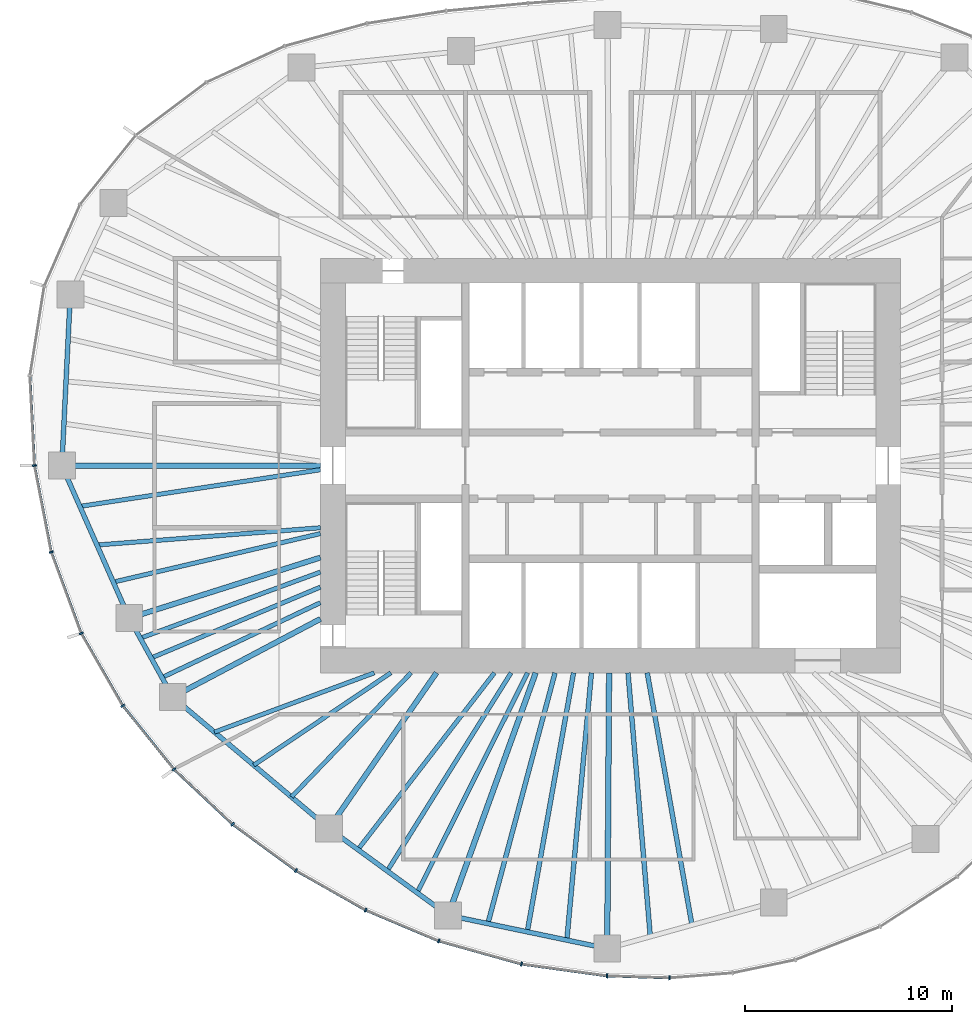
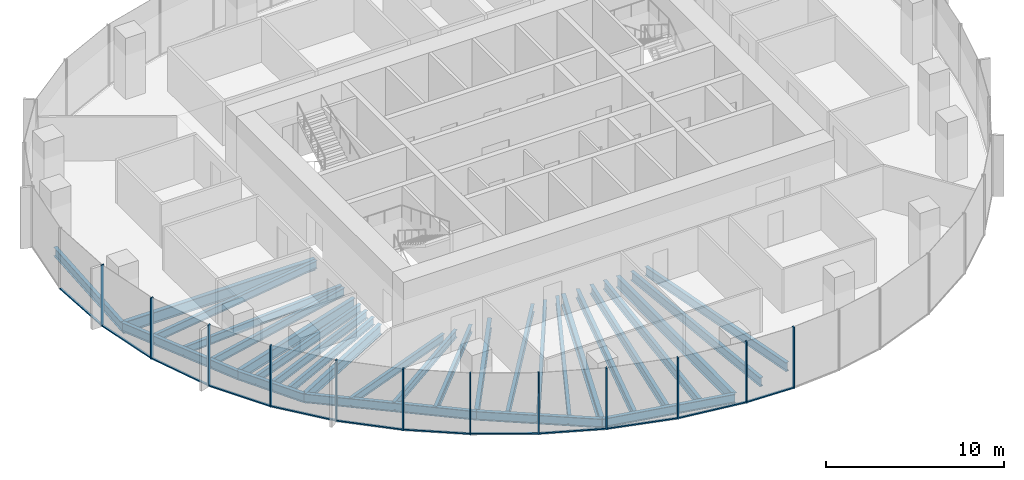
# One storey, part 2 of 11: 29 beams, 24 members, 7 elements without a shape of their own.
"""IFC4 building model written with IfcOpenShell, lengths in metres."""

import ifcopenshell
import ifcopenshell.guid

model = None  # the IFC model being written
_history = None  # IfcOwnerHistory: only IFC2X3 demands one
_inside = {}  # id of a spatial element -> (the spatial element, [elements in it])
_under = {}  # id of a project, library or spatial element -> (it, [spatial elements below it])
_declared = {}  # id of a project -> (the project, [libraries it declares])
_typed = {}  # id of a type object -> (the type object, [elements of that type])
_made_of = {}  # id of a material, layer set ... -> (it, [elements and type objects made of it])


def new_model(schema):
    """Start an empty IFC model of exactly this schema.

    Asked for "IFC4X3", IfcOpenShell would pick the latest addendum, in which some entities
    have other attributes; the version numbers below select the first issue.
    IFC2X3 requires an IfcOwnerHistory on every rooted entity: one is made here for all.
    """
    global model, _history
    if schema == "IFC4X3":
        model = ifcopenshell.file(schema_version=(4, 3, 0, 0))
    else:
        model = ifcopenshell.file(schema=schema)
    _inside.clear()
    _under.clear()
    _declared.clear()
    _typed.clear()
    _made_of.clear()
    _history = None
    if model.schema == "IFC2X3":
        org = make("IfcOrganization", Name="unknown")
        user = make(
            "IfcPersonAndOrganization",
            ThePerson=make("IfcPerson", FamilyName="unknown"),
            TheOrganization=org,
        )
        app = make(
            "IfcApplication",
            ApplicationDeveloper=org,
            Version="unknown",
            ApplicationFullName="unknown",
            ApplicationIdentifier="unknown",
        )
        _history = make(
            "IfcOwnerHistory",
            OwningUser=user,
            OwningApplication=app,
            ChangeAction="ADDED",
            CreationDate=0,
        )
    return model


def make(cls, **values):
    """One entity of the class cls with the attributes given. An attribute that is None is left unset."""
    return model.create_entity(
        cls, **{name: value for name, value in values.items() if value is not None}
    )


def rooted(cls, **values):
    """An entity with a GlobalId (a new one), such as an element, a storey or a relation."""
    return make(cls, GlobalId=ifcopenshell.guid.new(), OwnerHistory=_history, **values)


def si_unit(unit_type, name, prefix=None):
    """IfcSIUnit, for example si_unit("LENGTHUNIT", "METRE", prefix="MILLI")."""
    return make("IfcSIUnit", UnitType=unit_type, Prefix=prefix, Name=name)


def assignment(units):
    """IfcUnitAssignment: the units of a project."""
    return None if units is None else make("IfcUnitAssignment", Units=units)


def point(xyz):
    """IfcCartesianPoint."""
    return None if xyz is None else make("IfcCartesianPoint", Coordinates=xyz)


def direction(xyz):
    """IfcDirection."""
    return None if xyz is None else make("IfcDirection", DirectionRatios=xyz)


def frame(location, z_axis=None, x_axis=None):
    """IfcAxis2Placement3D, a coordinate frame: its origin and axes. An axis left out is left unset."""
    return make(
        "IfcAxis2Placement3D",
        Location=point(location),
        Axis=direction(z_axis),
        RefDirection=direction(x_axis),
    )


def frame_2d(location, x_axis=None):
    """IfcAxis2Placement2D, a coordinate frame in the plane: its origin and x axis."""
    return make(
        "IfcAxis2Placement2D", Location=point(location), RefDirection=direction(x_axis)
    )


def origin():
    """The frame at (0, 0, 0) with its axes left unset."""
    return frame((0.0, 0.0, 0.0))


def origin_2d():
    """The frame at (0, 0) in the plane with its x axis left unset."""
    return frame_2d((0.0, 0.0))


def place(relative_to, where):
    """IfcLocalPlacement: puts the frame where relative to a parent placement (None: the world)."""
    return make(
        "IfcLocalPlacement", PlacementRelTo=relative_to, RelativePlacement=where
    )


def context(
    kind, dimensions, precision=None, world=None, true_north=None, identifier=None
):
    """IfcGeometricRepresentationContext, for example the 3D "Model" context."""
    return make(
        "IfcGeometricRepresentationContext",
        ContextIdentifier=identifier,
        ContextType=kind,
        CoordinateSpaceDimension=dimensions,
        Precision=precision,
        WorldCoordinateSystem=world,
        TrueNorth=true_north,
    )


def subcontext(parent, identifier, kind, view, scale=None):
    """IfcGeometricRepresentationSubContext, for example "Body" below "Model"."""
    return make(
        "IfcGeometricRepresentationSubContext",
        ContextIdentifier=identifier,
        ContextType=kind,
        ParentContext=parent,
        TargetScale=scale,
        TargetView=view,
    )


def project(units=None, contexts=None):
    """IfcProject with its units and contexts."""
    return rooted(
        "IfcProject",
        Name="project",
        RepresentationContexts=contexts,
        UnitsInContext=assignment(units),
    )


def spatial(cls, under=None, at=None, **own):
    """A site, building, storey or space (cls), placed at a placement, below another one or the project."""
    s = rooted(cls, ObjectPlacement=at, **own)
    if under is not None:
        _under.setdefault(under.id(), (under, []))[1].append(s)
    return s


def profile(cls, at=None, kind="AREA", **sizes):
    """A parametric profile (cls). Its sizes go by their IFC names, for example OverallWidth=200.0."""
    return make(cls, ProfileType=kind, Position=at, **sizes)


def rectangle(**sizes):
    """IfcRectangleProfileDef."""
    return profile("IfcRectangleProfileDef", **sizes)


def i_section(**sizes):
    """IfcIShapeProfileDef."""
    return profile("IfcIShapeProfileDef", **sizes)


def extrude(swept, where, along, depth):
    """IfcExtrudedAreaSolid: the profile swept, set in the frame where, extruded along a direction by depth."""
    return make(
        "IfcExtrudedAreaSolid",
        SweptArea=swept,
        Position=where,
        ExtrudedDirection=direction(along),
        Depth=depth,
    )


def shape(context_of_items, identifier, shape_type, items):
    """IfcShapeRepresentation: the items that make up one representation, for example the "Body"."""
    return make(
        "IfcShapeRepresentation",
        ContextOfItems=context_of_items,
        RepresentationIdentifier=identifier,
        RepresentationType=shape_type,
        Items=items,
    )


def material(Name=None, Category=None):
    """IfcMaterial."""
    return make("IfcMaterial", Name=Name, Category=Category)


def material_profile(
    of_material, cross_section, Name=None, Category=None, Priority=None
):
    """IfcMaterialProfile: a cross section and its material."""
    return make(
        "IfcMaterialProfile",
        Name=Name,
        Material=of_material,
        Profile=cross_section,
        Priority=Priority,
        Category=Category,
    )


def profile_set(profiles, Name=None, composite=None):
    """IfcMaterialProfileSet."""
    return make(
        "IfcMaterialProfileSet",
        Name=Name,
        MaterialProfiles=profiles,
        CompositeProfile=composite,
    )


def made_of(thing, what):
    """Note that an element or type object is made of a material, layer set ...; save() writes the relation."""
    if what is not None:
        _made_of.setdefault(what.id(), (what, []))[1].append(thing)
    return thing


def type_object(cls, material=None, **own):
    """A type object (cls), such as IfcWallType, which elements share."""
    return made_of(rooted(cls, **own), material)


def element(
    cls,
    number,
    at=None,
    inside=None,
    cuts=None,
    type_object=None,
    material=None,
    context=None,
    identifier="Body",
    shape_type=None,
    held_by="IfcProductDefinitionShape",
    body=None,
    shapes=None,
    **own,
):
    """One element of the class cls, such as IfcWall. Its Tag is "e" and its number.

    at: its placement. inside: the storey or other place that contains it. cuts: it is an
    opening in that element (IfcRelVoidsElement). A single representation is given by context,
    identifier, shape_type and body (its items); several are given by shapes. held_by: the class
    of the entity that holds the representations. save() writes the other relations.
    """
    e = rooted(cls, Tag="e%d" % number, ObjectPlacement=at, **own)
    if body is not None:
        shapes = [shape(context, identifier, shape_type, body)]
    if shapes is not None:
        e.Representation = make(held_by, Representations=shapes)
    if inside is not None:
        _inside.setdefault(inside.id(), (inside, []))[1].append(e)
    if cuts is not None:
        rooted(
            "IfcRelVoidsElement", RelatingBuildingElement=cuts, RelatedOpeningElement=e
        )
    if type_object is not None:
        _typed.setdefault(type_object.id(), (type_object, []))[1].append(e)
    return made_of(e, material)


def aggregate(whole, parts):
    """IfcRelAggregates: a whole, such as a stair, and the parts it consists of."""
    return rooted("IfcRelAggregates", RelatingObject=whole, RelatedObjects=parts)


def save(model, path):
    """Write the relations noted so far, then the file.

    IfcRelAggregates (storeys below a building ...), IfcRelContainedInSpatialStructure (elements
    in a storey), IfcRelDefinesByType, IfcRelAssociatesMaterial and IfcRelDeclares: one each for
    every whole, place, type object, material and project.
    """
    for whole, parts in _under.values():
        aggregate(whole, parts)
    for where, things in _inside.values():
        rooted(
            "IfcRelContainedInSpatialStructure",
            RelatedElements=things,
            RelatingStructure=where,
        )
    for kind, things in _typed.values():
        rooted("IfcRelDefinesByType", RelatedObjects=things, RelatingType=kind)
    for what, things in _made_of.values():
        rooted("IfcRelAssociatesMaterial", RelatedObjects=things, RelatingMaterial=what)
    for by, libraries in _declared.values():
        rooted("IfcRelDeclares", RelatingContext=by, RelatedDefinitions=libraries)
    model.write(path)


model = new_model("IFC4")

# Units and contexts
model_context = context("Model", 3, precision=1e-05, world=origin(), true_north=direction((0.0, 1.0)))
body_context = subcontext(model_context, "Body", "Model", "MODEL_VIEW")
ifc_project = project(units=[si_unit("LENGTHUNIT", "METRE"), si_unit("AREAUNIT", "SQUARE_METRE"), si_unit("VOLUMEUNIT", "CUBIC_METRE"), si_unit("PLANEANGLEUNIT", "RADIAN"), si_unit("MASSUNIT", "GRAM", prefix="KILO")], contexts=[model_context])

# Site, building, storey
site_placement = place(None, origin())
site = spatial("IfcSite", under=ifc_project, at=site_placement, CompositionType="ELEMENT")
building_placement = place(site_placement, origin())
building = spatial("IfcBuilding", under=site, at=building_placement, Name="Ghaith Harvest Tower", CompositionType="ELEMENT")
storey_placement = place(building_placement, frame((0.0, 0.0, 211.60009765625)))
storey = spatial("IfcBuildingStorey", under=building, at=storey_placement, Name="L46", CompositionType="ELEMENT", Elevation=211.60009765625)

# Curtain wall, members
ifc_material_1 = material(Name="Black anodised aluminium and fritted glass", Category="aluminium")
curtain_wall_type = type_object("IfcCurtainWallType", Name="CW-H CURTAIN WALL", PredefinedType="NOTDEFINED", material=ifc_material_1)
curtain_wall_1_placement = place(storey_placement, origin())
curtain_wall_1 = element("IfcCurtainWall", 1, at=curtain_wall_1_placement, inside=storey, type_object=curtain_wall_type, Name="Curtain wall CW-H bay 11 L46", PredefinedType="NOTDEFINED")
ifc_material_2 = material(Name="Aluminium, black anodised", Category="aluminium")
ifc_material_profile_1 = material_profile(ifc_material_2, rectangle(XDim=0.080078125, YDim=0.199951171875, at=origin_2d()), Name="CW-H MULLION 80x200")
ifc_profile_set_1 = profile_set([ifc_material_profile_1], Name="Aluminium, black anodised")
member_type_1 = type_object("IfcMemberType", Name="CW-H MULLION 80x200", PredefinedType="MULLION", material=ifc_profile_set_1)
member_1_placement = place(storey_placement, frame((-27.794921875, 0.0, 0.0), z_axis=(0.0, 0.0, 1.0), x_axis=(0.12024996575, -0.992743645528, 0.0)))
member_1 = element("IfcMember", 2, at=member_1_placement, type_object=member_type_1, Name="CW-H mullion 1 bay 11 L46", PredefinedType="MULLION", context=body_context, shape_type="SweptSolid", body=[
    extrude(rectangle(XDim=0.080078125, YDim=0.199951171875, at=origin_2d()), origin(), (0.0, 0.0, 1.0), 4.199951171875),
])
member_2_placement = place(storey_placement, frame((-26.9853515625, -4.173828125, 0.0), z_axis=(0.0, 0.0, 1.0), x_axis=(0.268568830903, -0.963260495955, 0.0)))
member_2 = element("IfcMember", 3, at=member_2_placement, type_object=member_type_1, Name="CW-H mullion 2 bay 11 L46", PredefinedType="MULLION", context=body_context, shape_type="SweptSolid", body=[
    extrude(rectangle(XDim=0.080078125, YDim=0.199951171875, at=origin_2d()), origin(), (0.0, 0.0, 1.0), 4.199951171875),
])

curtain_wall_2_placement = place(storey_placement, origin())
curtain_wall_2 = element("IfcCurtainWall", 4, at=curtain_wall_2_placement, inside=storey, type_object=curtain_wall_type, Name="Curtain wall CW-H bay 12 L46", PredefinedType="NOTDEFINED")
member_3_placement = place(storey_placement, frame((-25.538330078125, -8.093505859375, 0.0), z_axis=(0.0, 0.0, 1.0), x_axis=(0.422308650185, -0.906452096903, 0.0)))
member_3 = element("IfcMember", 5, at=member_3_placement, type_object=member_type_1, Name="CW-H mullion 1 bay 12 L46", PredefinedType="MULLION", context=body_context, shape_type="SweptSolid", body=[
    extrude(rectangle(XDim=0.080078125, YDim=0.199951171875, at=origin_2d()), origin(), (0.0, 0.0, 1.0), 4.199951171875),
])
member_4_placement = place(storey_placement, frame((-23.533203125, -11.58349609375, 0.0), z_axis=(0.0, 0.0, 1.0), x_axis=(0.563616546013, -0.826036554312, 0.0)))
member_4 = element("IfcMember", 6, at=member_4_placement, type_object=member_type_1, Name="CW-H mullion 2 bay 12 L46", PredefinedType="MULLION", context=body_context, shape_type="SweptSolid", body=[
    extrude(rectangle(XDim=0.080078125, YDim=0.199951171875, at=origin_2d()), origin(), (0.0, 0.0, 1.0), 4.199951171875),
])

curtain_wall_3_placement = place(storey_placement, origin())
curtain_wall_3 = element("IfcCurtainWall", 7, at=curtain_wall_3_placement, inside=storey, type_object=curtain_wall_type, Name="Curtain wall CW-H bay 13 L46", PredefinedType="NOTDEFINED")
member_5_placement = place(storey_placement, frame((-21.0615234375, -14.65478515625, 0.0), z_axis=(0.0, 0.0, 1.0), x_axis=(0.679181589754, -0.733970277422, 0.0)))
member_5 = element("IfcMember", 8, at=member_5_placement, type_object=member_type_1, Name="CW-H mullion 1 bay 13 L46", PredefinedType="MULLION", context=body_context, shape_type="SweptSolid", body=[
    extrude(rectangle(XDim=0.080078125, YDim=0.199951171875, at=origin_2d()), origin(), (0.0, 0.0, 1.0), 4.199951171875),
])
member_6_placement = place(storey_placement, frame((-18.238037109375, -17.30615234375, 0.0), z_axis=(0.0, 0.0, 1.0), x_axis=(0.769216709506, -0.638987991919, 0.0)))
member_6 = element("IfcMember", 9, at=member_6_placement, type_object=member_type_1, Name="CW-H mullion 2 bay 13 L46", PredefinedType="MULLION", context=body_context, shape_type="SweptSolid", body=[
    extrude(rectangle(XDim=0.080078125, YDim=0.199951171875, at=origin_2d()), origin(), (0.0, 0.0, 1.0), 4.199951171875),
])

curtain_wall_4_placement = place(storey_placement, origin())
curtain_wall_4 = element("IfcCurtainWall", 10, at=curtain_wall_4_placement, inside=storey, type_object=curtain_wall_type, Name="Curtain wall CW-H bay 14 L46", PredefinedType="NOTDEFINED")
member_7_placement = place(storey_placement, frame((-15.177490234375, -19.542724609375, 0.0), z_axis=(0.0, 0.0, 1.0), x_axis=(0.840233591157, -0.5422245958, 0.0)))
member_7 = element("IfcMember", 11, at=member_7_placement, type_object=member_type_1, Name="CW-H mullion 1 bay 14 L46", PredefinedType="MULLION", context=body_context, shape_type="SweptSolid", body=[
    extrude(rectangle(XDim=0.080078125, YDim=0.199951171875, at=origin_2d()), origin(), (0.0, 0.0, 1.0), 4.199951171875),
])
member_8_placement = place(storey_placement, frame((-11.815185546875, -21.45068359375, 0.0), z_axis=(0.0, 0.0, 1.0), x_axis=(0.896852966189, -0.442328788389, 0.0)))
member_8 = element("IfcMember", 12, at=member_8_placement, type_object=member_type_1, Name="CW-H mullion 2 bay 14 L46", PredefinedType="MULLION", context=body_context, shape_type="SweptSolid", body=[
    extrude(rectangle(XDim=0.080078125, YDim=0.199951171875, at=origin_2d()), origin(), (0.0, 0.0, 1.0), 4.199951171875),
])

curtain_wall_5_placement = place(storey_placement, origin())
curtain_wall_5 = element("IfcCurtainWall", 13, at=curtain_wall_5_placement, inside=storey, type_object=curtain_wall_type, Name="Curtain wall CW-H bay 15 L46", PredefinedType="NOTDEFINED")
member_9_placement = place(storey_placement, frame((-8.285888671875, -22.941650390625, 0.0), z_axis=(0.0, 0.0, 1.0), x_axis=(0.944906041636, -0.327341675439, 0.0)))
member_9 = element("IfcMember", 14, at=member_9_placement, type_object=member_type_1, Name="CW-H mullion 1 bay 15 L46", PredefinedType="MULLION", context=body_context, shape_type="SweptSolid", body=[
    extrude(rectangle(XDim=0.080078125, YDim=0.199951171875, at=origin_2d()), origin(), (0.0, 0.0, 1.0), 4.199951171875),
])
member_10_placement = place(storey_placement, frame((-4.2958984375, -24.0556640625, 0.0), z_axis=(0.0, 0.0, 1.0), x_axis=(0.979161388311, -0.203083666601, 0.0)))
member_10 = element("IfcMember", 15, at=member_10_placement, type_object=member_type_1, Name="CW-H mullion 2 bay 15 L46", PredefinedType="MULLION", context=body_context, shape_type="SweptSolid", body=[
    extrude(rectangle(XDim=0.080078125, YDim=0.199951171875, at=origin_2d()), origin(), (0.0, 0.0, 1.0), 4.199951171875),
])

curtain_wall_6_placement = place(storey_placement, origin())
curtain_wall_6 = element("IfcCurtainWall", 16, at=curtain_wall_6_placement, inside=storey, type_object=curtain_wall_type, Name="Curtain wall CW-H bay 16 L46", PredefinedType="NOTDEFINED")
member_11_placement = place(storey_placement, frame((-0.16845703125, -24.625244140625, 0.0), z_axis=(0.0, 0.0, 1.0), x_axis=(0.99568459113, -0.092801912617, 0.0)))
member_11 = element("IfcMember", 17, at=member_11_placement, type_object=member_type_1, Name="CW-H mullion 1 bay 16 L46", PredefinedType="MULLION", context=body_context, shape_type="SweptSolid", body=[
    extrude(rectangle(XDim=0.080078125, YDim=0.199951171875, at=origin_2d()), origin(), (0.0, 0.0, 1.0), 4.199951171875),
])
member_12_placement = place(storey_placement, frame((2.84765625, -24.721435546875, 0.0), z_axis=(0.0, 0.0, 1.0), x_axis=(0.999724413906, 0.02347543907, 0.0)))
member_12 = element("IfcMember", 18, at=member_12_placement, type_object=member_type_1, Name="CW-H mullion 2 bay 16 L46", PredefinedType="MULLION", context=body_context, shape_type="SweptSolid", body=[
    extrude(rectangle(XDim=0.080078125, YDim=0.199951171875, at=origin_2d()), origin(), (0.0, 0.0, 1.0), 4.199951171875),
])

# Curtain wall, member
curtain_wall_7_placement = place(storey_placement, origin())
curtain_wall_7 = element("IfcCurtainWall", 19, at=curtain_wall_7_placement, inside=storey, type_object=curtain_wall_type, Name="Curtain wall CW-H bay 10 L46", PredefinedType="NOTDEFINED")
ifc_material_3 = material(Name="Aluminium, black anodised", Category="aluminium")
ifc_material_profile_2 = material_profile(ifc_material_3, rectangle(XDim=0.1298828125, YDim=0.080078125, at=origin_2d()), Name="CW-H TRANSOM 130x80")
ifc_profile_set_2 = profile_set([ifc_material_profile_2], Name="Aluminium, black anodised")
member_type_2 = type_object("IfcMemberType", Name="CW-H TRANSOM 130x80", PredefinedType="USERDEFINED", material=ifc_profile_set_2)
member_13_placement = place(storey_placement, frame((-28.013671875, 4.293212890625, 0.039794921875), z_axis=(0.05084969311, -0.998706317548, 0.0), x_axis=(0.998706317548, 0.05084969311, 0.0)))
member_13 = element("IfcMember", 20, at=member_13_placement, type_object=member_type_2, Name="CW-H transom 2 bay 10 L46", ObjectType="TRANSOM", PredefinedType="USERDEFINED", context=body_context, shape_type="SweptSolid", body=[
    extrude(rectangle(XDim=0.1298828125, YDim=0.080078125, at=origin_2d()), origin(), (0.0, 0.0, 1.0), 4.2587890625),
])
aggregate(curtain_wall_7, [member_13])

# Member
member_14_placement = place(storey_placement, frame((-27.787353515625, -0.039306640625, 0.039794921875), z_axis=(0.190440428338, -0.981698753821, 0.0), x_axis=(0.981698753821, 0.190440428338, 0.0)))
member_14 = element("IfcMember", 21, at=member_14_placement, type_object=member_type_2, Name="CW-H transom 1 bay 11 L46", ObjectType="TRANSOM", PredefinedType="USERDEFINED", context=body_context, shape_type="SweptSolid", body=[
    extrude(rectangle(XDim=0.1298828125, YDim=0.080078125, at=origin_2d()), origin(), (0.0, 0.0, 1.0), 4.171630859375),
])

member_15_placement = place(storey_placement, frame((-26.971435546875, -4.21142578125, 0.039794921875), z_axis=(0.346287782987, -0.93812833416, 0.0), x_axis=(0.93812833416, 0.346287782987, 0.0)))
member_15 = element("IfcMember", 22, at=member_15_placement, type_object=member_type_2, Name="CW-H transom 2 bay 11 L46", ObjectType="TRANSOM", PredefinedType="USERDEFINED", context=body_context, shape_type="SweptSolid", body=[
    extrude(rectangle(XDim=0.1298828125, YDim=0.080078125, at=origin_2d()), origin(), (0.0, 0.0, 1.0), 4.098388671875),
])

aggregate(curtain_wall_1, [member_1, member_14, member_2, member_15])

member_16_placement = place(storey_placement, frame((-25.5185546875, -8.128173828125, 0.039794921875), z_axis=(0.498176929488, -0.86707539864, 0.0), x_axis=(0.86707539864, 0.498176929488, 0.0)))
member_16 = element("IfcMember", 23, at=member_16_placement, type_object=member_type_2, Name="CW-H transom 1 bay 12 L46", ObjectType="TRANSOM", PredefinedType="USERDEFINED", context=body_context, shape_type="SweptSolid", body=[
    extrude(rectangle(XDim=0.1298828125, YDim=0.080078125, at=origin_2d()), origin(), (0.0, 0.0, 1.0), 3.945068359375),
])

member_17_placement = place(storey_placement, frame((-23.508056640625, -11.61474609375, 0.039794921875), z_axis=(0.626958878139, -0.779052350694, 0.0), x_axis=(0.779052350694, 0.626958878139, 0.0)))
member_17 = element("IfcMember", 24, at=member_17_placement, type_object=member_type_2, Name="CW-H transom 2 bay 12 L46", ObjectType="TRANSOM", PredefinedType="USERDEFINED", context=body_context, shape_type="SweptSolid", body=[
    extrude(rectangle(XDim=0.1298828125, YDim=0.080078125, at=origin_2d()), origin(), (0.0, 0.0, 1.0), 3.862060546875),
])

aggregate(curtain_wall_2, [member_3, member_16, member_4, member_17])

member_18_placement = place(storey_placement, frame((-21.032470703125, -14.68212890625, 0.039794921875), z_axis=(0.729025183709, -0.684486874613, 0.0), x_axis=(0.684486874613, 0.729025183709, 0.0)))
member_18 = element("IfcMember", 25, at=member_18_placement, type_object=member_type_2, Name="CW-H transom 1 bay 13 L46", ObjectType="TRANSOM", PredefinedType="USERDEFINED", context=body_context, shape_type="SweptSolid", body=[
    extrude(rectangle(XDim=0.1298828125, YDim=0.080078125, at=origin_2d()), origin(), (0.0, 0.0, 1.0), 3.793212890625),
])

member_19_placement = place(storey_placement, frame((-18.20556640625, -17.32958984375, 0.039794921875), z_axis=(0.807368217185, -0.590047931849, 0.0), x_axis=(0.590047931849, 0.807368217185, 0.0)))
member_19 = element("IfcMember", 26, at=member_19_placement, type_object=member_type_2, Name="CW-H transom 2 bay 13 L46", ObjectType="TRANSOM", PredefinedType="USERDEFINED", context=body_context, shape_type="SweptSolid", body=[
    extrude(rectangle(XDim=0.1298828125, YDim=0.080078125, at=origin_2d()), origin(), (0.0, 0.0, 1.0), 3.710693359375),
])

aggregate(curtain_wall_3, [member_5, member_18, member_6, member_19])

member_20_placement = place(storey_placement, frame((-15.142822265625, -19.5625, 0.039794921875), z_axis=(0.869735291487, -0.493518513068, 0.0), x_axis=(0.493518513068, 0.869735291487, 0.0)))
member_20 = element("IfcMember", 27, at=member_20_placement, type_object=member_type_2, Name="CW-H transom 1 bay 14 L46", ObjectType="TRANSOM", PredefinedType="USERDEFINED", context=body_context, shape_type="SweptSolid", body=[
    extrude(rectangle(XDim=0.1298828125, YDim=0.080078125, at=origin_2d()), origin(), (0.0, 0.0, 1.0), 3.785888671875),
])

member_21_placement = place(storey_placement, frame((-11.7783203125, -21.46630859375, 0.039794921875), z_axis=(0.921182691948, -0.38913037411, 0.0), x_axis=(0.38913037411, 0.921182691948, 0.0)))
member_21 = element("IfcMember", 28, at=member_21_placement, type_object=member_type_2, Name="CW-H transom 2 bay 14 L46", ObjectType="TRANSOM", PredefinedType="USERDEFINED", context=body_context, shape_type="SweptSolid", body=[
    extrude(rectangle(XDim=0.1298828125, YDim=0.080078125, at=origin_2d()), origin(), (0.0, 0.0, 1.0), 3.751220703125),
])

aggregate(curtain_wall_4, [member_7, member_20, member_8, member_21])

member_22_placement = place(storey_placement, frame((-8.24755859375, -22.952392578125, 0.039794921875), z_axis=(0.963164092269, -0.268914356932, 0.0), x_axis=(0.268914356932, 0.963164092269, 0.0)))
member_22 = element("IfcMember", 29, at=member_22_placement, type_object=member_type_2, Name="CW-H transom 1 bay 15 L46", ObjectType="TRANSOM", PredefinedType="USERDEFINED", context=body_context, shape_type="SweptSolid", body=[
    extrude(rectangle(XDim=0.1298828125, YDim=0.080078125, at=origin_2d()), origin(), (0.0, 0.0, 1.0), 4.062744140625),
])

member_23_placement = place(storey_placement, frame((-4.25634765625, -24.06103515625, 0.039794921875), z_axis=(0.990605228149, -0.136752630555, 0.0), x_axis=(0.136752630555, 0.990605228149, 0.0)))
member_23 = element("IfcMember", 30, at=member_23_placement, type_object=member_type_2, Name="CW-H transom 2 bay 15 L46", ObjectType="TRANSOM", PredefinedType="USERDEFINED", context=body_context, shape_type="SweptSolid", body=[
    extrude(rectangle(XDim=0.1298828125, YDim=0.080078125, at=origin_2d()), origin(), (0.0, 0.0, 1.0), 4.08642578125),
])

aggregate(curtain_wall_5, [member_9, member_22, member_10, member_23])

member_24_placement = place(storey_placement, frame((-0.128662109375, -24.62646484375, 0.039794921875), z_axis=(0.999490770233, -0.031909249731, 0.0), x_axis=(0.031909249731, 0.999490770233, 0.0)))
member_24 = element("IfcMember", 31, at=member_24_placement, type_object=member_type_2, Name="CW-H transom 1 bay 16 L46", ObjectType="TRANSOM", PredefinedType="USERDEFINED", context=body_context, shape_type="SweptSolid", body=[
    extrude(rectangle(XDim=0.1298828125, YDim=0.080078125, at=origin_2d()), origin(), (0.0, 0.0, 1.0), 2.93798828125),
])

aggregate(curtain_wall_6, [member_11, member_24, member_12])

# Beams
ifc_material_4 = material(Name="Steel ASTM A992 Grade 50", Category="steel")
ifc_material_profile_3 = material_profile(ifc_material_4, i_section(OverallWidth=0.22900390625, OverallDepth=0.612060546875, WebThickness=0.011962890625, FlangeThickness=0.01953125, at=origin_2d()), Name="W610X125")
ifc_profile_set_3 = profile_set([ifc_material_profile_3], Name="Steel ASTM A992 Grade 50")
beam_type_1 = type_object("IfcBeamType", Name="E610-125 W610X125", PredefinedType="SPANDREL", material=ifc_profile_set_3)
beam_1_placement = place(storey_placement, frame((-26.06689453125, 8.260986328125, -0.47607421875), z_axis=(-0.049353148492, -0.998781390863, 0.0), x_axis=(0.998781390863, -0.049353148492, 0.0)))
element("IfcBeam", 32, at=beam_1_placement, inside=storey, type_object=beam_type_1, Name="Edge beam E10 L46", PredefinedType="SPANDREL", context=body_context, shape_type="SweptSolid", body=[
    extrude(i_section(OverallWidth=0.22900390625, OverallDepth=0.612060546875, WebThickness=0.011962890625, FlangeThickness=0.01953125, at=origin_2d()), origin(), (0.0, 0.0, 1.0), 8.27099609375),
])
beam_2_placement = place(storey_placement, frame((-26.47509765625, 0.0, -0.47607421875), z_axis=(0.404042817399, -0.914740073304, 0.0), x_axis=(0.914740073304, 0.404042817399, 0.0)))
element("IfcBeam", 33, at=beam_2_placement, inside=storey, type_object=beam_type_1, Name="Edge beam E11 L46", PredefinedType="SPANDREL", context=body_context, shape_type="SweptSolid", body=[
    extrude(i_section(OverallWidth=0.22900390625, OverallDepth=0.612060546875, WebThickness=0.011962890625, FlangeThickness=0.01953125, at=origin_2d()), origin(), (0.0, 0.0, 1.0), 8.046142578125),
])
beam_3_placement = place(storey_placement, frame((-23.22412109375, -7.360107421875, -0.47607421875), z_axis=(0.482955575345, -0.875644855089, 0.0), x_axis=(0.875644855089, 0.482955575345, 0.0)))
element("IfcBeam", 34, at=beam_3_placement, inside=storey, type_object=beam_type_1, Name="Edge beam E12 L46", PredefinedType="SPANDREL", context=body_context, shape_type="SweptSolid", body=[
    extrude(i_section(OverallWidth=0.22900390625, OverallDepth=0.612060546875, WebThickness=0.011962890625, FlangeThickness=0.01953125, at=origin_2d()), origin(), (0.0, 0.0, 1.0), 4.346435546875),
])
beam_4_placement = place(storey_placement, frame((-21.125, -11.166015625, -0.47607421875), z_axis=(0.765021818761, -0.64400436087, 0.0), x_axis=(0.64400436087, 0.765021818761, 0.0)))
element("IfcBeam", 35, at=beam_4_placement, inside=storey, type_object=beam_type_1, Name="Edge beam E13 L46", PredefinedType="SPANDREL", context=body_context, shape_type="SweptSolid", body=[
    extrude(i_section(OverallWidth=0.22900390625, OverallDepth=0.612060546875, WebThickness=0.011962890625, FlangeThickness=0.01953125, at=origin_2d()), origin(), (0.0, 0.0, 1.0), 9.8427734375),
])
beam_5_placement = place(storey_placement, frame((-13.594970703125, -17.5048828125, -0.47607421875), z_axis=(0.808194782503, -0.588915268553, 0.0), x_axis=(0.588915268553, 0.808194782503, 0.0)))
element("IfcBeam", 36, at=beam_5_placement, inside=storey, type_object=beam_type_1, Name="Edge beam E14 L46", PredefinedType="SPANDREL", context=body_context, shape_type="SweptSolid", body=[
    extrude(i_section(OverallWidth=0.22900390625, OverallDepth=0.612060546875, WebThickness=0.011962890625, FlangeThickness=0.01953125, at=origin_2d()), origin(), (0.0, 0.0, 1.0), 7.123291015625),
])
beam_6_placement = place(storey_placement, frame((-7.837890625, -21.699951171875, -0.47607421875), z_axis=(0.978847910797, -0.20458926543, 0.0), x_axis=(0.20458926543, 0.978847910797, 0.0)))
element("IfcBeam", 37, at=beam_6_placement, inside=storey, type_object=beam_type_1, Name="Edge beam E15 L46", PredefinedType="SPANDREL", context=body_context, shape_type="SweptSolid", body=[
    extrude(i_section(OverallWidth=0.22900390625, OverallDepth=0.612060546875, WebThickness=0.011962890625, FlangeThickness=0.01953125, at=origin_2d()), origin(), (0.0, 0.0, 1.0), 7.844970703125),
])
ifc_material_5 = material(Name="Steel ASTM A992 Grade 50", Category="steel")
ifc_material_profile_4 = material_profile(ifc_material_5, i_section(OverallWidth=0.256103515625, OverallDepth=0.693115234375, WebThickness=0.014404296875, FlangeThickness=0.023681640625, at=origin_2d()), Name="W690X170")
ifc_profile_set_4 = profile_set([ifc_material_profile_4], Name="Steel ASTM A992 Grade 50")
beam_type_2 = type_object("IfcBeamType", Name="G690-170 W690X170", PredefinedType="BEAM", material=ifc_profile_set_4)
beam_7_placement = place(storey_placement, frame((-14.0, -4.43701171875, -0.5166015625), z_axis=(-0.953279028151, -0.302091202267, 0.0), x_axis=(0.302091202267, -0.953279028151, 0.0)))
element("IfcBeam", 38, at=beam_7_placement, inside=storey, type_object=beam_type_2, Name="Radial girder G12 L46", PredefinedType="BEAM", context=body_context, shape_type="SweptSolid", body=[
    extrude(i_section(OverallWidth=0.256103515625, OverallDepth=0.693115234375, WebThickness=0.014404296875, FlangeThickness=0.023681640625, at=origin_2d()), origin(), (0.0, 0.0, 1.0), 9.67626953125),
])
beam_8_placement = place(storey_placement, frame((-14.0, -7.39990234375, -0.5166015625), z_axis=(-0.88409279474, -0.46731138472, 0.0), x_axis=(0.46731138472, -0.88409279474, 0.0)))
element("IfcBeam", 39, at=beam_8_placement, inside=storey, type_object=beam_type_2, Name="Radial girder G13 L46", PredefinedType="BEAM", context=body_context, shape_type="SweptSolid", body=[
    extrude(i_section(OverallWidth=0.256103515625, OverallDepth=0.693115234375, WebThickness=0.014404296875, FlangeThickness=0.023681640625, at=origin_2d()), origin(), (0.0, 0.0, 1.0), 8.05908203125),
])
beam_9_placement = place(storey_placement, frame((-8.39990234375, -10.0, -0.5166015625), z_axis=(-0.569164078909, -0.822223966617, 0.0), x_axis=(0.822223966617, -0.569164078909, 0.0)))
element("IfcBeam", 40, at=beam_9_placement, inside=storey, type_object=beam_type_2, Name="Radial girder G14 L46", PredefinedType="BEAM", context=body_context, shape_type="SweptSolid", body=[
    extrude(i_section(OverallWidth=0.256103515625, OverallDepth=0.693115234375, WebThickness=0.014404296875, FlangeThickness=0.023681640625, at=origin_2d()), origin(), (0.0, 0.0, 1.0), 9.12744140625),
])
ifc_material_6 = material(Name="Steel ASTM A992 Grade 50", Category="steel")
ifc_material_profile_5 = material_profile(ifc_material_6, i_section(OverallWidth=0.26806640625, OverallDepth=0.77001953125, WebThickness=0.015625, FlangeThickness=0.025390625, at=origin_2d()), Name="W760X196")
ifc_profile_set_5 = profile_set([ifc_material_profile_5], Name="Steel ASTM A992 Grade 50")
beam_type_3 = type_object("IfcBeamType", Name="G760-196 W760X196", PredefinedType="BEAM", material=ifc_profile_set_5)
beam_10_placement = place(storey_placement, frame((-14.0, 0.0, -0.55517578125), z_axis=(-1.0, 0.0, 0.0), x_axis=(0.0, -1.0, 0.0)))
element("IfcBeam", 41, at=beam_10_placement, inside=storey, type_object=beam_type_3, Name="Radial girder G11 L46", PredefinedType="BEAM", context=body_context, shape_type="SweptSolid", body=[
    extrude(i_section(OverallWidth=0.26806640625, OverallDepth=0.77001953125, WebThickness=0.015625, FlangeThickness=0.025390625, at=origin_2d()), origin(), (0.0, 0.0, 1.0), 12.47509765625),
])
beam_11_placement = place(storey_placement, frame((-3.61181640625, -10.0, -0.55517578125), z_axis=(-0.339722108335, -0.940525857756, 0.0), x_axis=(0.940525857756, -0.339722108335, 0.0)))
element("IfcBeam", 42, at=beam_11_placement, inside=storey, type_object=beam_type_3, Name="Radial girder G15 L46", PredefinedType="BEAM", context=body_context, shape_type="SweptSolid", body=[
    extrude(i_section(OverallWidth=0.26806640625, OverallDepth=0.77001953125, WebThickness=0.015625, FlangeThickness=0.025390625, at=origin_2d()), origin(), (0.0, 0.0, 1.0), 12.439697265625),
])
beam_12_placement = place(storey_placement, frame((-0.068359375, -10.0, -0.55517578125), z_axis=(-0.00680755644, -0.999976828319, 0.0), x_axis=(0.999976828319, -0.00680755644, 0.0)))
element("IfcBeam", 43, at=beam_12_placement, inside=storey, type_object=beam_type_3, Name="Radial girder G16 L46", PredefinedType="BEAM", context=body_context, shape_type="SweptSolid", body=[
    extrude(i_section(OverallWidth=0.26806640625, OverallDepth=0.77001953125, WebThickness=0.015625, FlangeThickness=0.025390625, at=origin_2d()), origin(), (0.0, 0.0, 1.0), 13.30517578125),
])
ifc_material_7 = material(Name="Steel ASTM A992 Grade 50", Category="steel")
ifc_material_profile_6 = material_profile(ifc_material_7, i_section(OverallWidth=0.2109375, OverallDepth=0.5390625, WebThickness=0.01171875, FlangeThickness=0.018798828125, at=origin_2d()), Name="W530X109")
ifc_profile_set_6 = profile_set([ifc_material_profile_6], Name="Steel ASTM A992 Grade 50")
beam_type_4 = type_object("IfcBeamType", Name="J530-109 W530X109", PredefinedType="JOIST", material=ifc_profile_set_6)
beam_13_placement = place(storey_placement, frame((-14.0, -0.199951171875, -0.439697265625), z_axis=(-0.988587077715, -0.150650555178, 0.0), x_axis=(0.150650555178, -0.988587077715, 0.0)))
element("IfcBeam", 44, at=beam_13_placement, inside=storey, type_object=beam_type_4, Name="Joist J11.1 L46", PredefinedType="JOIST", context=body_context, shape_type="SweptSolid", body=[
    extrude(i_section(OverallWidth=0.2109375, OverallDepth=0.5390625, WebThickness=0.01171875, FlangeThickness=0.018798828125, at=origin_2d()), origin(), (0.0, 0.0, 1.0), 11.739501953125),
])
beam_14_placement = place(storey_placement, frame((-14.0, -3.0, -0.439697265625), z_axis=(-0.997028799301, -0.077029691443, 0.0), x_axis=(0.077029691443, -0.997028799301, 0.0)))
element("IfcBeam", 45, at=beam_14_placement, inside=storey, type_object=beam_type_4, Name="Joist J11.2 L46", PredefinedType="JOIST", context=body_context, shape_type="SweptSolid", body=[
    extrude(i_section(OverallWidth=0.2109375, OverallDepth=0.5390625, WebThickness=0.01171875, FlangeThickness=0.018798828125, at=origin_2d()), origin(), (0.0, 0.0, 1.0), 10.814208984375),
])
beam_15_placement = place(storey_placement, frame((-14.0, -3.280517578125, -0.439697265625), z_axis=(-0.97362176086, -0.22816806696, 0.0), x_axis=(0.22816806696, -0.97362176086, 0.0)))
element("IfcBeam", 46, at=beam_15_placement, inside=storey, type_object=beam_type_4, Name="Joist J11.3 L46", PredefinedType="JOIST", context=body_context, shape_type="SweptSolid", body=[
    extrude(i_section(OverallWidth=0.2109375, OverallDepth=0.5390625, WebThickness=0.01171875, FlangeThickness=0.018798828125, at=origin_2d()), origin(), (0.0, 0.0, 1.0), 10.262451171875),
])
beam_16_placement = place(storey_placement, frame((-5.60009765625, -10.0, -0.439697265625), z_axis=(-0.611412687895, -0.791311901264, 0.0), x_axis=(0.791311901264, -0.611412687895, 0.0)))
element("IfcBeam", 47, at=beam_16_placement, inside=storey, type_object=beam_type_4, Name="Joist J14.1 L46", PredefinedType="JOIST", context=body_context, shape_type="SweptSolid", body=[
    extrude(i_section(OverallWidth=0.2109375, OverallDepth=0.5390625, WebThickness=0.01171875, FlangeThickness=0.018798828125, at=origin_2d()), origin(), (0.0, 0.0, 1.0), 10.778076171875),
])
beam_17_placement = place(storey_placement, frame((-4.800048828125, -10.0, -0.439697265625), z_axis=(-0.529921073682, -0.848046965484, 0.0), x_axis=(0.848046965484, -0.529921073682, 0.0)))
element("IfcBeam", 48, at=beam_17_placement, inside=storey, type_object=beam_type_4, Name="Joist J14.2 L46", PredefinedType="JOIST", context=body_context, shape_type="SweptSolid", body=[
    extrude(i_section(OverallWidth=0.2109375, OverallDepth=0.5390625, WebThickness=0.01171875, FlangeThickness=0.018798828125, at=origin_2d()), origin(), (0.0, 0.0, 1.0), 11.273681640625),
])
beam_18_placement = place(storey_placement, frame((-4.0, -10.0, -0.439697265625), z_axis=(-0.448791718068, -0.893636387908, 0.0), x_axis=(0.893636387908, -0.448791718068, 0.0)))
element("IfcBeam", 49, at=beam_18_placement, inside=storey, type_object=beam_type_4, Name="Joist J14.3 L46", PredefinedType="JOIST", context=body_context, shape_type="SweptSolid", body=[
    extrude(i_section(OverallWidth=0.2109375, OverallDepth=0.5390625, WebThickness=0.01171875, FlangeThickness=0.018798828125, at=origin_2d()), origin(), (0.0, 0.0, 1.0), 11.8759765625),
])
ifc_material_8 = material(Name="Steel ASTM A992 Grade 50", Category="steel")
ifc_material_profile_7 = material_profile(ifc_material_8, i_section(OverallWidth=0.208984375, OverallDepth=0.532958984375, WebThickness=0.01025390625, FlangeThickness=0.015625, at=origin_2d()), Name="W530X92")
ifc_profile_set_7 = profile_set([ifc_material_profile_7], Name="Steel ASTM A992 Grade 50")
beam_type_5 = type_object("IfcBeamType", Name="J530-92 W530X92", PredefinedType="JOIST", material=ifc_profile_set_7)
beam_19_placement = place(storey_placement, frame((-14.0, -5.137939453125, -0.4365234375), z_axis=(-0.93877284801, -0.34453670318, 0.0), x_axis=(0.34453670318, -0.93877284801, 0.0)))
element("IfcBeam", 50, at=beam_19_placement, inside=storey, type_object=beam_type_5, Name="Joist J12.1 L46", PredefinedType="JOIST", context=body_context, shape_type="SweptSolid", body=[
    extrude(i_section(OverallWidth=0.208984375, OverallDepth=0.532958984375, WebThickness=0.01025390625, FlangeThickness=0.015625, at=origin_2d()), origin(), (0.0, 0.0, 1.0), 9.25732421875),
])
beam_20_placement = place(storey_placement, frame((-14.0, -5.862548828125, -0.4365234375), z_axis=(-0.922387515293, -0.386265804377, 0.0), x_axis=(0.386265804377, -0.922387515293, 0.0)))
element("IfcBeam", 51, at=beam_20_placement, inside=storey, type_object=beam_type_5, Name="Joist J12.2 L46", PredefinedType="JOIST", context=body_context, shape_type="SweptSolid", body=[
    extrude(i_section(OverallWidth=0.208984375, OverallDepth=0.532958984375, WebThickness=0.01025390625, FlangeThickness=0.015625, at=origin_2d()), origin(), (0.0, 0.0, 1.0), 8.851318359375),
])
beam_21_placement = place(storey_placement, frame((-14.0, -6.614990234375, -0.4365234375), z_axis=(-0.90415786724, -0.427198491462, 0.0), x_axis=(0.427198491462, -0.90415786724, 0.0)))
element("IfcBeam", 52, at=beam_21_placement, inside=storey, type_object=beam_type_5, Name="Joist J12.3 L46", PredefinedType="JOIST", context=body_context, shape_type="SweptSolid", body=[
    extrude(i_section(OverallWidth=0.208984375, OverallDepth=0.532958984375, WebThickness=0.01025390625, FlangeThickness=0.015625, at=origin_2d()), origin(), (0.0, 0.0, 1.0), 8.45361328125),
])
beam_22_placement = place(storey_placement, frame((-11.39990234375, -10.0, -0.4365234375), z_axis=(-0.937594001899, -0.34773191916, 0.0), x_axis=(0.34773191916, -0.937594001899, 0.0)))
element("IfcBeam", 53, at=beam_22_placement, inside=storey, type_object=beam_type_5, Name="Joist J13.1 L46", PredefinedType="JOIST", context=body_context, shape_type="SweptSolid", body=[
    extrude(i_section(OverallWidth=0.208984375, OverallDepth=0.532958984375, WebThickness=0.01025390625, FlangeThickness=0.015625, at=origin_2d()), origin(), (0.0, 0.0, 1.0), 8.225830078125),
])
beam_23_placement = place(storey_placement, frame((-10.60009765625, -10.0, -0.4365234375), z_axis=(-0.829594017544, -0.55836705316, 0.0), x_axis=(0.55836705316, -0.829594017544, 0.0)))
element("IfcBeam", 54, at=beam_23_placement, inside=storey, type_object=beam_type_5, Name="Joist J13.2 L46", PredefinedType="JOIST", context=body_context, shape_type="SweptSolid", body=[
    extrude(i_section(OverallWidth=0.208984375, OverallDepth=0.532958984375, WebThickness=0.01025390625, FlangeThickness=0.015625, at=origin_2d()), origin(), (0.0, 0.0, 1.0), 7.977783203125),
])
beam_24_placement = place(storey_placement, frame((-9.626708984375, -10.0, -0.4365234375), z_axis=(-0.693546892509, -0.720411485119, 0.0), x_axis=(0.720411485119, -0.693546892509, 0.0)))
element("IfcBeam", 55, at=beam_24_placement, inside=storey, type_object=beam_type_5, Name="Joist J13.3 L46", PredefinedType="JOIST", context=body_context, shape_type="SweptSolid", body=[
    extrude(i_section(OverallWidth=0.208984375, OverallDepth=0.532958984375, WebThickness=0.01025390625, FlangeThickness=0.015625, at=origin_2d()), origin(), (0.0, 0.0, 1.0), 8.3154296875),
])
ifc_material_9 = material(Name="Steel ASTM A992 Grade 50", Category="steel")
ifc_material_profile_8 = material_profile(ifc_material_9, i_section(OverallWidth=0.22900390625, OverallDepth=0.612060546875, WebThickness=0.011962890625, FlangeThickness=0.01953125, at=origin_2d()), Name="W610X125")
ifc_profile_set_8 = profile_set([ifc_material_profile_8], Name="Steel ASTM A992 Grade 50")
beam_type_6 = type_object("IfcBeamType", Name="J610-125 W610X125", PredefinedType="JOIST", material=ifc_profile_set_8)
beam_25_placement = place(storey_placement, frame((-2.677978515625, -10.0, -0.47607421875), z_axis=(-0.258683807585, -0.965962052926, 0.0), x_axis=(0.965962052926, -0.258683807585, 0.0)))
element("IfcBeam", 56, at=beam_25_placement, inside=storey, type_object=beam_type_6, Name="Joist J15.1 L46", PredefinedType="JOIST", context=body_context, shape_type="SweptSolid", body=[
    extrude(i_section(OverallWidth=0.22900390625, OverallDepth=0.612060546875, WebThickness=0.011962890625, FlangeThickness=0.01953125, at=origin_2d()), origin(), (0.0, 0.0, 1.0), 12.52783203125),
])
beam_26_placement = place(storey_placement, frame((-1.785888671875, -10.0, -0.47607421875), z_axis=(-0.17579463172, -0.984426862422, 0.0), x_axis=(0.984426862422, -0.17579463172, 0.0)))
element("IfcBeam", 57, at=beam_26_placement, inside=storey, type_object=beam_type_6, Name="Joist J15.2 L46", PredefinedType="JOIST", context=body_context, shape_type="SweptSolid", body=[
    extrude(i_section(OverallWidth=0.22900390625, OverallDepth=0.612060546875, WebThickness=0.011962890625, FlangeThickness=0.01953125, at=origin_2d()), origin(), (0.0, 0.0, 1.0), 12.6962890625),
])
beam_27_placement = place(storey_placement, frame((-0.92041015625, -10.0, -0.47607421875), z_axis=(-0.091645483251, -0.995791697796, 0.0), x_axis=(0.995791697796, -0.091645483251, 0.0)))
element("IfcBeam", 58, at=beam_27_placement, inside=storey, type_object=beam_type_6, Name="Joist J15.3 L46", PredefinedType="JOIST", context=body_context, shape_type="SweptSolid", body=[
    extrude(i_section(OverallWidth=0.22900390625, OverallDepth=0.612060546875, WebThickness=0.011962890625, FlangeThickness=0.01953125, at=origin_2d()), origin(), (0.0, 0.0, 1.0), 12.9521484375),
])
beam_28_placement = place(storey_placement, frame((0.844970703125, -10.0, -0.47607421875), z_axis=(0.084217590158, -0.996447388229, 0.0), x_axis=(0.996447388229, 0.084217590158, 0.0)))
element("IfcBeam", 59, at=beam_28_placement, inside=storey, type_object=beam_type_6, Name="Joist J16.1 L46", PredefinedType="JOIST", context=body_context, shape_type="SweptSolid", body=[
    extrude(i_section(OverallWidth=0.22900390625, OverallDepth=0.612060546875, WebThickness=0.011962890625, FlangeThickness=0.01953125, at=origin_2d()), origin(), (0.0, 0.0, 1.0), 12.772705078125),
])
beam_29_placement = place(storey_placement, frame((1.772705078125, -10.0, -0.47607421875), z_axis=(0.174551600477, -0.984648027861, 0.0), x_axis=(0.984648027861, 0.174551600477, 0.0)))
element("IfcBeam", 60, at=beam_29_placement, inside=storey, type_object=beam_type_6, Name="Joist J16.2 L46", PredefinedType="JOIST", context=body_context, shape_type="SweptSolid", body=[
    extrude(i_section(OverallWidth=0.22900390625, OverallDepth=0.612060546875, WebThickness=0.011962890625, FlangeThickness=0.01953125, at=origin_2d()), origin(), (0.0, 0.0, 1.0), 12.358642578125),
])

save(model, "model.ifc")
